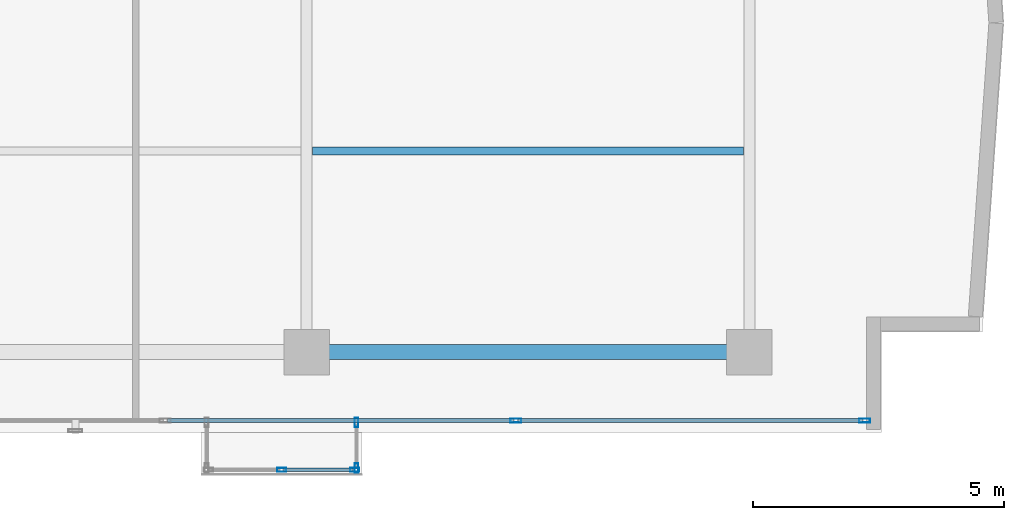
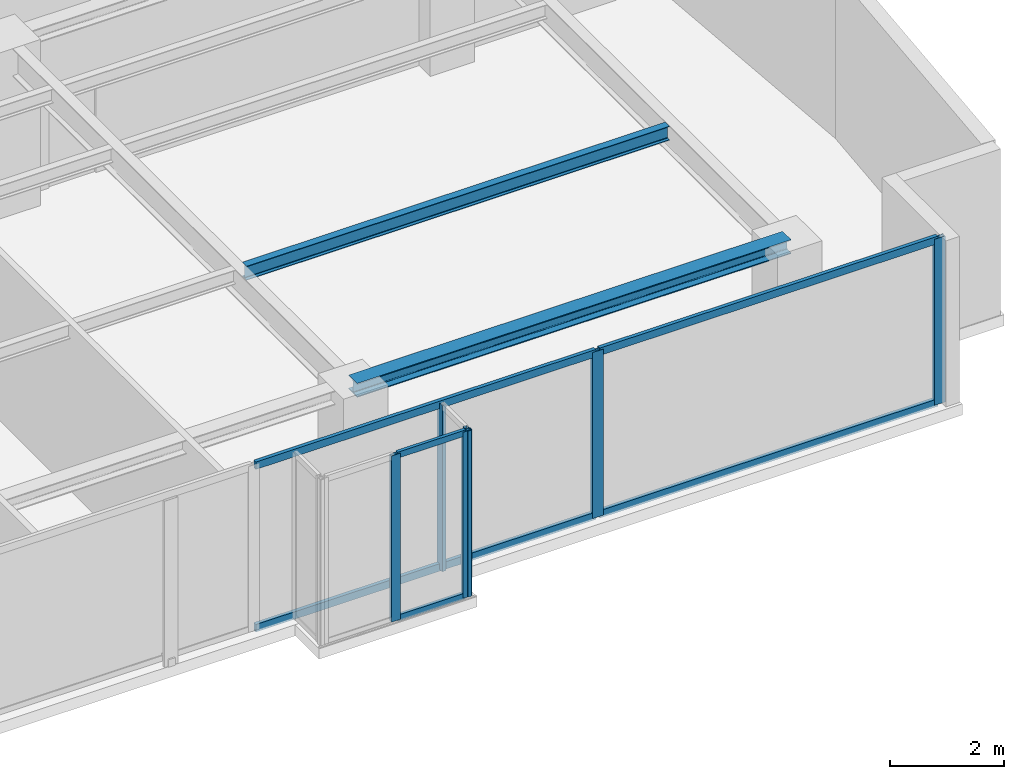
# One storey, part 11 of 24: 12 members, 2 beams, 3 elements without a shape of their own.
"""IFC4 building model written with IfcOpenShell, lengths in metres."""

from ifc_helpers import new_model, si_unit, direction, frame, origin, origin_with_axes, origin_2d, place, context, subcontext, project, spatial, hollow_rectangle, i_section, extrude, source, transform, mapped, material, layer, layer_set, material_profile, profile_set, type_object, element, aggregate, save


model = new_model("IFC4")

# Units and contexts
model_context = context("Model", 3, precision=1e-05, world=origin(), true_north=direction((0.0, 1.0)))
body_context = subcontext(model_context, "Body", "Model", "MODEL_VIEW")
ifc_project = project(units=[si_unit("LENGTHUNIT", "METRE"), si_unit("AREAUNIT", "SQUARE_METRE"), si_unit("VOLUMEUNIT", "CUBIC_METRE"), si_unit("PLANEANGLEUNIT", "RADIAN"), si_unit("MASSUNIT", "GRAM", prefix="KILO")], contexts=[model_context])

# Site, building, storey
site_placement = place(None, origin())
site = spatial("IfcSite", under=ifc_project, at=site_placement, CompositionType="ELEMENT")
building_placement = place(site_placement, origin())
building = spatial("IfcBuilding", under=site, at=building_placement, Name="Kolvaren Waterfront Exchange", CompositionType="ELEMENT")
storey_placement = place(building_placement, frame((0.0, 0.0, 300.800048828125)))
storey = spatial("IfcBuildingStorey", under=building, at=storey_placement, Name="L77", CompositionType="ELEMENT", Elevation=300.800048828125)

# Beams
ifc_material_1 = material(Name="Steel S355", Category="steel")
ifc_material_profile_1 = material_profile(ifc_material_1, i_section(OverallWidth=0.300048828125, OverallDepth=0.300048828125, WebThickness=0.010986328125, FlangeThickness=0.01904296875, FilletRadius=0.027099609375, at=origin_2d()), Name="HEB300")
ifc_profile_set_1 = profile_set([ifc_material_profile_1], Name="Steel S355")
beam_type_1 = type_object("IfcBeamType", Name="STR-BM-HEB300", PredefinedType="SPANDREL", material=ifc_profile_set_1)
beam_1_placement = place(storey_placement, frame((36.800048828125, 5.199951171875, 3.409912109375), z_axis=(1.0, 0.0, 0.0), x_axis=(0.0, 1.0, 0.0)))
element("IfcBeam", 1, at=beam_1_placement, inside=storey, type_object=beam_type_1, Name="L77 east-arm spandrel S3", PredefinedType="SPANDREL", context=body_context, shape_type="SweptSolid", body=[
    extrude(i_section(OverallWidth=0.300048828125, OverallDepth=0.300048828125, WebThickness=0.010986328125, FlangeThickness=0.01904296875, FilletRadius=0.027099609375, at=origin_2d()), origin(), (0.0, 0.0, 1.0), 8.800048828125),
])
ifc_material_profile_2 = material_profile(ifc_material_1, i_section(OverallWidth=0.14990234375, OverallDepth=0.300048828125, WebThickness=0.007080078125, FlangeThickness=0.0107421875, FilletRadius=0.014892578125, at=origin_2d()), Name="IPE300")
ifc_profile_set_2 = profile_set([ifc_material_profile_2], Name="Steel S355")
beam_type_2 = type_object("IfcBeamType", Name="STR-BM-IPE300", PredefinedType="JOIST", material=ifc_profile_set_2)
beam_2_placement = place(storey_placement, frame((36.912109375, 9.199951171875, 3.409912109375), z_axis=(1.0, 0.0, 0.0), x_axis=(0.0, 1.0, 0.0)))
element("IfcBeam", 2, at=beam_2_placement, inside=storey, type_object=beam_type_2, Name="L77 east-arm composite joist 3B", PredefinedType="JOIST", context=body_context, shape_type="SweptSolid", body=[
    extrude(i_section(OverallWidth=0.14990234375, OverallDepth=0.300048828125, WebThickness=0.007080078125, FlangeThickness=0.0107421875, FilletRadius=0.014892578125, at=origin_2d()), origin(), (0.0, 0.0, 1.0), 8.575927734375),
])

# Curtain wall, members
ifc_material_2 = material(Name="Anodised bronze aluminium 6063-T6", Category="aluminium")
ifc_layer_1 = layer(ifc_material_2, 0.219970703125, Name="Anodised bronze aluminium 6063-T6")
ifc_layer_set_1 = layer_set([ifc_layer_1], Name="Anodised bronze aluminium 6063-T6")
curtain_wall_type_1 = type_object("IfcCurtainWallType", Name="ARC-CW-SYS3", PredefinedType="USERDEFINED", material=ifc_layer_set_1)
curtain_wall_1_placement = place(storey_placement, origin())
curtain_wall_1 = element("IfcCurtainWall", 3, at=curtain_wall_1_placement, inside=storey, type_object=curtain_wall_type_1, Name="L77 stick curtain wall CW3 (CW-L77-BOX)", ObjectType="STICK CURTAIN WALL", PredefinedType="USERDEFINED")
ifc_material_profile_3 = material_profile(ifc_material_2, hollow_rectangle(XDim=0.06494140625, YDim=0.1298828125, WallThickness=0.00390625, at=origin_2d()), Name="ALU-TRN-130x65x4")
ifc_profile_set_3 = profile_set([ifc_material_profile_3], Name="Anodised bronze aluminium 6063-T6")
member_type_1 = type_object("IfcMemberType", Name="ARC-CWT-130", PredefinedType="USERDEFINED", material=ifc_profile_set_3)
shared_shape_1 = source(origin_with_axes(), body_context, "Body", "SweptSolid", [
    extrude(hollow_rectangle(XDim=0.06494140625, YDim=0.1298828125, WallThickness=0.00390625, at=origin_2d()), origin(), (0.0, 0.0, 1.0), 1.377685546875),
])
member_1_placement = place(storey_placement, frame((36.33740234375, 2.860107421875, 0.032470703125), z_axis=(1.0, 0.0, 0.0), x_axis=(0.0, 1.0, 0.0)))
member_1 = element("IfcMember", 4, at=member_1_placement, type_object=member_type_1, Name="CW3 transom 2.1", ObjectType="TRANSOM", PredefinedType="USERDEFINED", context=body_context, shape_type="MappedRepresentation", body=[
    mapped(shared_shape_1, transform((0.0, 0.0, 0.0), x_axis=(1.0, 0.0, 0.0), y_axis=(0.0, 1.0, 0.0), z_axis=(0.0, 0.0, 1.0), scale=1.0)),
])
member_2_placement = place(storey_placement, frame((36.33740234375, 2.860107421875, 3.52734375), z_axis=(1.0, 0.0, 0.0), x_axis=(0.0, 1.0, 0.0)))
member_2 = element("IfcMember", 5, at=member_2_placement, type_object=member_type_1, Name="CW3 transom 2.2", ObjectType="TRANSOM", PredefinedType="USERDEFINED", context=body_context, shape_type="MappedRepresentation", body=[
    mapped(shared_shape_1, transform((0.0, 0.0, 0.0), x_axis=(1.0, 0.0, 0.0), y_axis=(0.0, 1.0, 0.0), z_axis=(0.0, 0.0, 1.0), scale=1.0)),
])
ifc_material_profile_4 = material_profile(ifc_material_2, hollow_rectangle(XDim=0.074951171875, YDim=0.179931640625, WallThickness=0.00439453125, at=origin_2d()), Name="ALU-MUL-180x75x4.5")
ifc_profile_set_4 = profile_set([ifc_material_profile_4], Name="Anodised bronze aluminium 6063-T6")
member_type_2 = type_object("IfcMemberType", Name="ARC-CWM-180", PredefinedType="MULLION", material=ifc_profile_set_4)
shared_shape_2 = source(origin_with_axes(), body_context, "Body", "SweptSolid", [
    extrude(hollow_rectangle(XDim=0.074951171875, YDim=0.179931640625, WallThickness=0.00439453125, at=origin_2d()), origin(), (0.0, 0.0, 1.0), 3.56005859375),
])
member_3_placement = place(storey_placement, frame((36.300048828125, 2.860107421875, 0.0), z_axis=(0.0, 0.0, 1.0), x_axis=(0.0, 1.0, 0.0)))
member_3 = element("IfcMember", 6, at=member_3_placement, type_object=member_type_2, Name="CW3 mullion 2", PredefinedType="MULLION", context=body_context, shape_type="MappedRepresentation", body=[
    mapped(shared_shape_2, transform((0.0, 0.0, 0.0), x_axis=(1.0, 0.0, 0.0), y_axis=(0.0, 1.0, 0.0), z_axis=(0.0, 0.0, 1.0), scale=1.0)),
])
member_4_placement = place(storey_placement, frame((37.75244140625, 2.860107421875, 0.0), z_axis=(0.0, 0.0, 1.0), x_axis=(0.0, 1.0, 0.0)))
member_4 = element("IfcMember", 7, at=member_4_placement, type_object=member_type_2, Name="CW3 mullion 3", PredefinedType="MULLION", context=body_context, shape_type="MappedRepresentation", body=[
    mapped(shared_shape_2, transform((0.0, 0.0, 0.0), x_axis=(1.0, 0.0, 0.0), y_axis=(0.0, 1.0, 0.0), z_axis=(0.0, 0.0, 1.0), scale=1.0)),
])
aggregate(curtain_wall_1, [member_3, member_4, member_1, member_2])

curtain_wall_2_placement = place(storey_placement, origin())
curtain_wall_2 = element("IfcCurtainWall", 8, at=curtain_wall_2_placement, inside=storey, type_object=curtain_wall_type_1, Name="L77 stick curtain wall CW3 (CW-L77-BOX-E)", ObjectType="STICK CURTAIN WALL", PredefinedType="USERDEFINED")
member_5_placement = place(storey_placement, frame((37.7900390625, 2.8974609375, 0.0), z_axis=(0.0, 0.0, 1.0), x_axis=(-1.0, 0.0, 0.0)))
member_5 = element("IfcMember", 9, at=member_5_placement, type_object=member_type_2, Name="CW3 mullion 1", PredefinedType="MULLION", context=body_context, shape_type="MappedRepresentation", body=[
    mapped(shared_shape_2, transform((0.0, 0.0, 0.0), x_axis=(1.0, 0.0, 0.0), y_axis=(0.0, 1.0, 0.0), z_axis=(0.0, 0.0, 1.0), scale=1.0)),
])
member_6_placement = place(storey_placement, frame((37.7900390625, 3.802490234375, 0.0), z_axis=(0.0, 0.0, 1.0), x_axis=(-1.0, 0.0, 0.0)))
member_6 = element("IfcMember", 10, at=member_6_placement, type_object=member_type_2, Name="CW3 mullion 2", PredefinedType="MULLION", context=body_context, shape_type="MappedRepresentation", body=[
    mapped(shared_shape_2, transform((0.0, 0.0, 0.0), x_axis=(1.0, 0.0, 0.0), y_axis=(0.0, 1.0, 0.0), z_axis=(0.0, 0.0, 1.0), scale=1.0)),
])
aggregate(curtain_wall_2, [member_5, member_6])

ifc_layer_2 = layer(ifc_material_2, 0.219970703125, Name="Anodised bronze aluminium 6063-T6")
ifc_layer_set_2 = layer_set([ifc_layer_2], Name="Anodised bronze aluminium 6063-T6")
curtain_wall_type_2 = type_object("IfcCurtainWallType", Name="ARC-CW-SYS1", PredefinedType="USERDEFINED", material=ifc_layer_set_2)
curtain_wall_3_placement = place(storey_placement, origin())
curtain_wall_3 = element("IfcCurtainWall", 11, at=curtain_wall_3_placement, inside=storey, type_object=curtain_wall_type_2, Name="L77 stick curtain wall CW1 (CW-L77-S)", ObjectType="STICK CURTAIN WALL", PredefinedType="USERDEFINED")
ifc_material_3 = material(Name="Anodised aluminium 6063-T6", Category="aluminium")
ifc_material_profile_5 = material_profile(ifc_material_3, hollow_rectangle(XDim=0.080078125, YDim=0.219970703125, WallThickness=0.0048828125, at=origin_2d()), Name="ALU-MUL-220x80x5")
ifc_profile_set_5 = profile_set([ifc_material_profile_5], Name="Anodised aluminium 6063-T6")
member_type_3 = type_object("IfcMemberType", Name="ARC-CWM-220", PredefinedType="MULLION", material=ifc_profile_set_5)
shared_shape_3 = source(origin_with_axes(), body_context, "Body", "SweptSolid", [
    extrude(hollow_rectangle(XDim=0.080078125, YDim=0.219970703125, WallThickness=0.0048828125, at=origin_2d()), origin(), (0.0, 0.0, 1.0), 3.56005859375),
])
member_7_placement = place(storey_placement, frame((40.959716796875, 3.840087890625, 0.0), z_axis=(0.0, 0.0, 1.0), x_axis=(0.0, 1.0, 0.0)))
member_7 = element("IfcMember", 12, at=member_7_placement, type_object=member_type_3, Name="CW1 mullion 6", PredefinedType="MULLION", context=body_context, shape_type="MappedRepresentation", body=[
    mapped(shared_shape_3, transform((0.0, 0.0, 0.0), x_axis=(1.0, 0.0, 0.0), y_axis=(0.0, 1.0, 0.0), z_axis=(0.0, 0.0, 1.0), scale=1.0)),
])
member_8_placement = place(storey_placement, frame((47.8916015625, 3.840087890625, 0.0), z_axis=(0.0, 0.0, 1.0), x_axis=(0.0, 1.0, 0.0)))
member_8 = element("IfcMember", 13, at=member_8_placement, type_object=member_type_3, Name="CW1 mullion 7", PredefinedType="MULLION", context=body_context, shape_type="MappedRepresentation", body=[
    mapped(shared_shape_3, transform((0.0, 0.0, 0.0), x_axis=(1.0, 0.0, 0.0), y_axis=(0.0, 1.0, 0.0), z_axis=(0.0, 0.0, 1.0), scale=1.0)),
])
ifc_material_profile_6 = material_profile(ifc_material_3, hollow_rectangle(XDim=0.074951171875, YDim=0.159912109375, WallThickness=0.00439453125, at=origin_2d()), Name="ALU-TRN-160x75x4.5")
ifc_profile_set_6 = profile_set([ifc_material_profile_6], Name="Anodised aluminium 6063-T6")
member_type_4 = type_object("IfcMemberType", Name="ARC-CWT-160", PredefinedType="USERDEFINED", material=ifc_profile_set_6)
shared_shape_4 = source(origin_with_axes(), body_context, "Body", "SweptSolid", [
    extrude(hollow_rectangle(XDim=0.074951171875, YDim=0.159912109375, WallThickness=0.00439453125, at=origin_2d()), origin(), (0.0, 0.0, 1.0), 6.891845703125),
])
member_9_placement = place(storey_placement, frame((34.02783203125, 3.840087890625, 0.037353515625), z_axis=(1.0, 0.0, 0.0), x_axis=(0.0, 1.0, 0.0)))
member_9 = element("IfcMember", 14, at=member_9_placement, type_object=member_type_4, Name="CW1 transom 5.1", ObjectType="TRANSOM", PredefinedType="USERDEFINED", context=body_context, shape_type="MappedRepresentation", body=[
    mapped(shared_shape_4, transform((0.0, 0.0, 0.0), x_axis=(1.0, 0.0, 0.0), y_axis=(0.0, 1.0, 0.0), z_axis=(0.0, 0.0, 1.0), scale=1.0)),
])
member_10_placement = place(storey_placement, frame((34.02783203125, 3.840087890625, 3.5224609375), z_axis=(1.0, 0.0, 0.0), x_axis=(0.0, 1.0, 0.0)))
member_10 = element("IfcMember", 15, at=member_10_placement, type_object=member_type_4, Name="CW1 transom 5.2", ObjectType="TRANSOM", PredefinedType="USERDEFINED", context=body_context, shape_type="MappedRepresentation", body=[
    mapped(shared_shape_4, transform((0.0, 0.0, 0.0), x_axis=(1.0, 0.0, 0.0), y_axis=(0.0, 1.0, 0.0), z_axis=(0.0, 0.0, 1.0), scale=1.0)),
])
shared_shape_5 = source(origin_with_axes(), body_context, "Body", "SweptSolid", [
    extrude(hollow_rectangle(XDim=0.074951171875, YDim=0.159912109375, WallThickness=0.00439453125, at=origin_2d()), origin(), (0.0, 0.0, 1.0), 6.851806640625),
])
member_11_placement = place(storey_placement, frame((40.999755859375, 3.840087890625, 0.037353515625), z_axis=(1.0, 0.0, 0.0), x_axis=(0.0, 1.0, 0.0)))
member_11 = element("IfcMember", 16, at=member_11_placement, type_object=member_type_4, Name="CW1 transom 6.1", ObjectType="TRANSOM", PredefinedType="USERDEFINED", context=body_context, shape_type="MappedRepresentation", body=[
    mapped(shared_shape_5, transform((0.0, 0.0, 0.0), x_axis=(1.0, 0.0, 0.0), y_axis=(0.0, 1.0, 0.0), z_axis=(0.0, 0.0, 1.0), scale=1.0)),
])
member_12_placement = place(storey_placement, frame((40.999755859375, 3.840087890625, 3.5224609375), z_axis=(1.0, 0.0, 0.0), x_axis=(0.0, 1.0, 0.0)))
member_12 = element("IfcMember", 17, at=member_12_placement, type_object=member_type_4, Name="CW1 transom 6.2", ObjectType="TRANSOM", PredefinedType="USERDEFINED", context=body_context, shape_type="MappedRepresentation", body=[
    mapped(shared_shape_5, transform((0.0, 0.0, 0.0), x_axis=(1.0, 0.0, 0.0), y_axis=(0.0, 1.0, 0.0), z_axis=(0.0, 0.0, 1.0), scale=1.0)),
])
aggregate(curtain_wall_3, [member_7, member_8, member_9, member_10, member_11, member_12])

save(model, "model.ifc")
